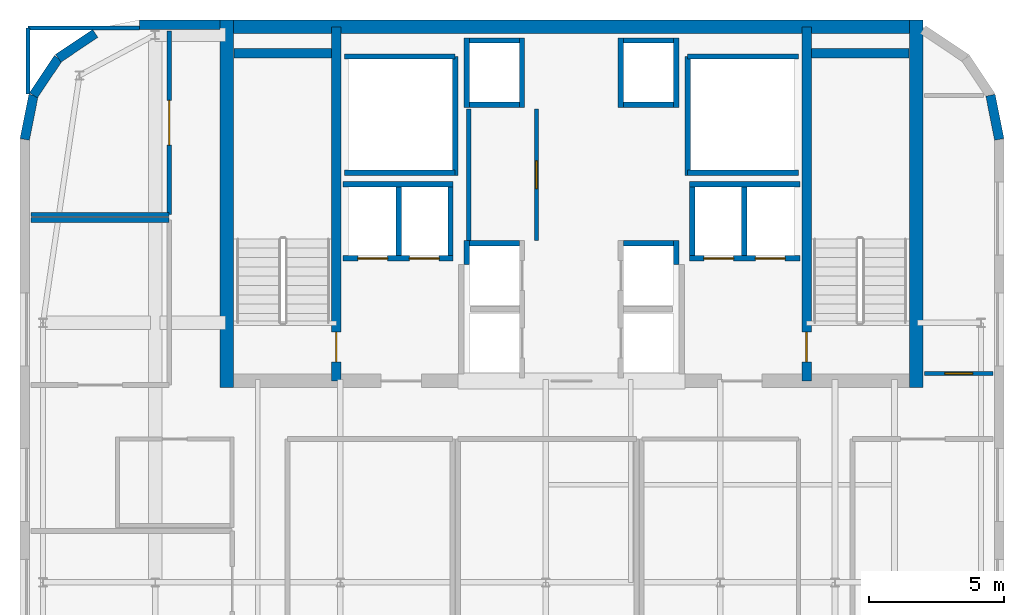
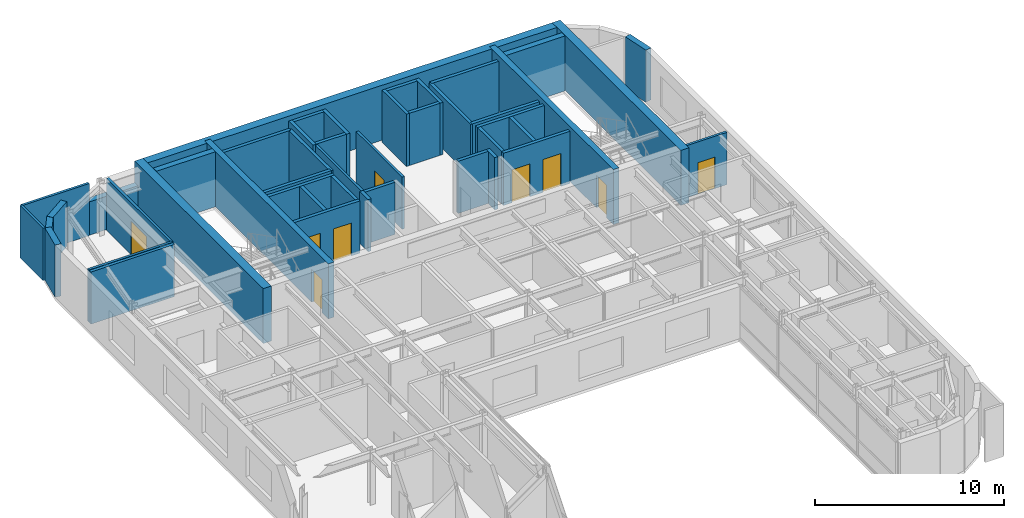
# One storey, part 16 of 18: 46 walls, 9 doors, 9 openings.
"""IFC4 building model written with IfcOpenShell, lengths in metres."""

from ifc_helpers import new_model, si_unit, direction, frame, frame_2d, origin, place, context, subcontext, project, spatial, rectangle, extrude, source, transform, mapped, material, layer, layer_set, type_object, type_shapes, element, fill, save


model = new_model("IFC4")

# Units and contexts
model_context = context("Model", 3, precision=1e-05, world=origin(), true_north=direction((0.0, 1.0)))
body_context = subcontext(model_context, "Body", "Model", "MODEL_VIEW")
ifc_project = project(units=[si_unit("LENGTHUNIT", "METRE"), si_unit("AREAUNIT", "SQUARE_METRE"), si_unit("VOLUMEUNIT", "CUBIC_METRE"), si_unit("PLANEANGLEUNIT", "RADIAN"), si_unit("MASSUNIT", "GRAM", prefix="KILO")], contexts=[model_context])

# Site, building, storey
site_placement = place(None, origin())
site = spatial("IfcSite", under=ifc_project, at=site_placement, CompositionType="ELEMENT")
building_placement = place(site_placement, origin())
building = spatial("IfcBuilding", under=site, at=building_placement, Name="Tolvann Quenvar Hotel", CompositionType="ELEMENT")
storey_placement = place(building_placement, frame((0.0, 0.0, 252.300048828125)))
storey = spatial("IfcBuildingStorey", under=building, at=storey_placement, Name="L67", CompositionType="ELEMENT", Elevation=252.300048828125)

# Walls
ifc_material_1 = material(Name="Concrete N50 (50 MPa)", Category="concrete")
ifc_layer_1 = layer(ifc_material_1, 0.5)
ifc_layer_set_1 = layer_set([ifc_layer_1], Name="Concrete N50 (50 MPa)")
wall_type_1 = type_object("IfcWallType", Name="WALL_CORE_500", PredefinedType="SHEAR", material=ifc_layer_set_1)
wall_1_placement = place(storey_placement, frame((10.0, 44.949951171875, 0.0), z_axis=(0.0, 0.0, 1.0), x_axis=(1.0, 0.0, 0.0)))
element("IfcWall", 1, at=wall_1_placement, inside=storey, type_object=wall_type_1, Name="Rear Core N Shear Wall (L67)", PredefinedType="SHEAR", context=body_context, shape_type="SweptSolid", body=[
    extrude(rectangle(XDim=26.0, YDim=0.5, at=frame_2d((13.0, 0.0))), origin(), (0.0, 0.0, 1.0), 3.550048828125),
])
for number, where, z_axis, x_axis, name in (
    (2, (10.25, 31.60009765625, 0.0), (0.0, 0.0, 1.0), (0.0, 1.0, 0.0), "Rear Core W Shear Wall (L67)"),
    (3, (35.75, 31.60009765625, 0.0), (0.0, 0.0, 1.0), (0.0, 1.0, 0.0), "Rear Core E Shear Wall (L67)"),
):
    element("IfcWall", number, at=place(storey_placement, frame(where, z_axis=z_axis, x_axis=x_axis)), inside=storey, type_object=wall_type_1, Name=name, PredefinedType="SHEAR", context=body_context, shape_type="SweptSolid", body=[
        extrude(rectangle(XDim=13.599853515625, YDim=0.5, at=frame_2d((6.7998046875, 0.0))), origin(), (0.0, 0.0, 1.0), 3.550048828125),
    ])

# Wall, opening, door
ifc_material_2 = material(Name="Concrete S65 (65 MPa)", Category="concrete")
ifc_layer_2 = layer(ifc_material_2, 0.35009765625)
ifc_layer_set_2 = layer_set([ifc_layer_2], Name="Concrete S65 (65 MPa)")
wall_type_2 = type_object("IfcWallType", Name="WALL_CORE_INT_350", PredefinedType="SHEAR", material=ifc_layer_set_2)
wall_2_placement = place(storey_placement, frame((14.300048828125, 31.85009765625, 0.0), z_axis=(0.0, 0.0, 1.0), x_axis=(0.0, 1.0, 0.0)))
wall_2 = element("IfcWall", 4, at=wall_2_placement, inside=storey, type_object=wall_type_2, Name="Core Internal Web Shear Wall WEB-W (L67)", PredefinedType="SHEAR", context=body_context, shape_type="SweptSolid", body=[
    extrude(rectangle(XDim=13.099853515625, YDim=0.35009765625, at=frame_2d((6.5498046875, 0.0))), origin(), (0.0, 0.0, 1.0), 3.550048828125),
])
opening_1_placement = place(wall_2_placement, frame((0.699951171875, 0.0, 0.0)))
opening_1 = element("IfcOpeningElement", 5, at=opening_1_placement, cuts=wall_2, Name="Opening FD-120", PredefinedType="OPENING", context=body_context, shape_type="SweptSolid", body=[
    extrude(rectangle(XDim=1.10009765625, YDim=2.1201171875, at=frame_2d((0.550048828125, 1.06005859375))), frame((0.0, 0.18505859375, 0.0), z_axis=(0.0, -1.0, 0.0), x_axis=(1.0, 0.0, 0.0)), (0.0, 0.0, 1.0), 0.3701171875),
])
ifc_material_3 = material(Name="Pressed galvanised steel fire-rated door set", Category="steel")
door_type_1 = type_object("IfcDoorType", Name="DOOR_FIRE_STAIR_1100", OperationType="NOTDEFINED", PredefinedType="DOOR", material=ifc_material_3)
shared_shape_1 = source(origin(), body_context, "Body", "SweptSolid", [
    extrude(rectangle(XDim=1.10009765625, YDim=2.1201171875, at=frame_2d((0.550048828125, 1.06005859375))), frame((0.0, 0.02490234375, 0.0), z_axis=(0.0, -1.0, 0.0), x_axis=(1.0, 0.0, 0.0)), (0.0, 0.0, 1.0), 0.050048828125),
])
type_shapes(door_type_1, [shared_shape_1])
door_1_placement = place(opening_1_placement, origin())
door_1 = element("IfcDoor", 6, at=door_1_placement, inside=storey, type_object=door_type_1, Name="Exit Stair ST-C1 Fire Door (L67)", OperationType="SINGLE_SWING_LEFT", OverallHeight=2.1201171875, OverallWidth=1.10009765625, PredefinedType="DOOR", context=body_context, shape_type="MappedRepresentation", body=[
    mapped(shared_shape_1, transform((0.0, 0.0, 0.0), x_axis=(1.0, 0.0, 0.0), y_axis=(0.0, 1.0, 0.0), z_axis=(0.0, 0.0, 1.0), scale=1.0)),
])
fill(opening_1, door_1)

wall_3_placement = place(storey_placement, frame((31.699951171875, 31.85009765625, 0.0), z_axis=(0.0, 0.0, 1.0), x_axis=(0.0, 1.0, 0.0)))
wall_3 = element("IfcWall", 7, at=wall_3_placement, inside=storey, type_object=wall_type_2, Name="Core Internal Web Shear Wall WEB-E (L67)", PredefinedType="SHEAR", context=body_context, shape_type="SweptSolid", body=[
    extrude(rectangle(XDim=13.099853515625, YDim=0.35009765625, at=frame_2d((6.5498046875, 0.0))), origin(), (0.0, 0.0, 1.0), 3.550048828125),
])
opening_2_placement = place(wall_3_placement, frame((1.800048828125, 0.0, 0.0), z_axis=(0.0, 0.0, 1.0), x_axis=(-1.0, 0.0, 0.0)))
opening_2 = element("IfcOpeningElement", 8, at=opening_2_placement, cuts=wall_3, Name="Opening FD-120", PredefinedType="OPENING", context=body_context, shape_type="SweptSolid", body=[
    extrude(rectangle(XDim=1.10009765625, YDim=2.1201171875, at=frame_2d((0.550048828125, 1.06005859375))), frame((0.0, 0.18505859375, 0.0), z_axis=(0.0, -1.0, 0.0), x_axis=(1.0, 0.0, 0.0)), (0.0, 0.0, 1.0), 0.3701171875),
])
door_2_placement = place(opening_2_placement, origin())
door_2 = element("IfcDoor", 9, at=door_2_placement, inside=storey, type_object=door_type_1, Name="Exit Stair ST-C2 Fire Door (L67)", OperationType="SINGLE_SWING_RIGHT", OverallHeight=2.1201171875, OverallWidth=1.10009765625, PredefinedType="DOOR", context=body_context, shape_type="MappedRepresentation", body=[
    mapped(shared_shape_1, transform((0.0, 0.0, 0.0), x_axis=(1.0, 0.0, 0.0), y_axis=(0.0, 1.0, 0.0), z_axis=(0.0, 0.0, 1.0), scale=1.0)),
])
fill(opening_2, door_2)

# Walls
for number, where, z_axis, x_axis, name in (
    (10, (10.52001953125, 43.97509765625, 0.0), (0.0, 0.0, 1.0), (1.0, 0.0, 0.0), "Core Stair North Closing Shear Wall STC1-N (L67)"),
    (11, (31.8798828125, 43.97509765625, 0.0), (0.0, 0.0, 1.0), (1.0, 0.0, 0.0), "Core Stair North Closing Shear Wall STC2-N (L67)"),
):
    element("IfcWall", number, at=place(storey_placement, frame(where, z_axis=z_axis, x_axis=x_axis)), inside=storey, type_object=wall_type_2, Name=name, PredefinedType="SHEAR", context=body_context, shape_type="SweptSolid", body=[
        extrude(rectangle(XDim=3.60009765625, YDim=0.35009765625, at=frame_2d((1.800048828125, 0.0))), origin(), (0.0, 0.0, 1.0), 3.550048828125),
    ])
ifc_material_4 = material(Name="Kiln-fired red and buff architectural clay brickwork and terracotta masonry", Category="masonry")
ifc_layer_3 = layer(ifc_material_4, 0.35009765625)
ifc_layer_set_3 = layer_set([ifc_layer_3], Name="Kiln-fired red and buff architectural clay brickwork and terracotta masonry")
wall_type_3 = type_object("IfcWallType", Name="WALL_EXT_BRICK_350", PredefinedType="SOLIDWALL", material=ifc_layer_set_3)
wall_4_placement = place(storey_placement, frame((38.824951171875, 40.78271484375, 0.0), z_axis=(0.0, 0.0, 1.0), x_axis=(-0.195044345786, 0.980794424524, 0.0)))
element("IfcWall", 12, at=wall_4_placement, inside=storey, type_object=wall_type_3, Name="Exterior Chicago Brick Wall L67-E14", PredefinedType="SOLIDWALL", context=body_context, shape_type="SweptSolid", body=[
    extrude(rectangle(XDim=1.664794921875, YDim=0.35009765625, at=frame_2d((0.83251953125, 0.0))), origin(), (0.0, 0.0, 1.0), 3.369873046875),
])
wall_5_placement = place(storey_placement, frame((9.99609375, 45.02490234375, 0.0), z_axis=(0.0, 0.0, 1.0), x_axis=(-1.0, 0.0, 0.0)))
element("IfcWall", 13, at=wall_5_placement, inside=storey, type_object=wall_type_3, Name="Exterior Chicago Brick Wall L67-E18NW", PredefinedType="SOLIDWALL", context=body_context, shape_type="SweptSolid", body=[
    extrude(rectangle(XDim=2.97900390625, YDim=0.35009765625, at=frame_2d((1.489501953125, 0.0))), origin(), (0.0, 0.0, 1.0), 2.159912109375),
])
for number, where, z_axis, x_axis, name in (
    (14, (5.384521484375, 44.7001953125, 0.0), (0.0, 0.0, 1.0), (-0.831502623162, -0.555520825599, 0.0), "Exterior Chicago Brick Wall L67-E20"),
    (15, (4.014892578125, 43.78515625, 0.0), (0.0, 0.0, 1.0), (-0.555623290322, -0.831434158098, 0.0), "Exterior Chicago Brick Wall L67-E21"),
):
    element("IfcWall", number, at=place(storey_placement, frame(where, z_axis=z_axis, x_axis=x_axis)), inside=storey, type_object=wall_type_3, Name=name, PredefinedType="SOLIDWALL", context=body_context, shape_type="SweptSolid", body=[
        extrude(rectangle(XDim=1.647216796875, YDim=0.35009765625, at=frame_2d((0.82373046875, 0.0))), origin(), (0.0, 0.0, 1.0), 2.89990234375),
    ])
wall_6_placement = place(storey_placement, frame((3.099609375, 42.41552734375, 0.0), z_axis=(0.0, 0.0, 1.0), x_axis=(-0.195044345786, -0.980794424524, 0.0)))
element("IfcWall", 16, at=wall_6_placement, inside=storey, type_object=wall_type_3, Name="Exterior Chicago Brick Wall L67-E22", PredefinedType="SOLIDWALL", context=body_context, shape_type="SweptSolid", body=[
    extrude(rectangle(XDim=1.664794921875, YDim=0.35009765625, at=frame_2d((0.83251953125, 0.0))), origin(), (0.0, 0.0, 1.0), 3.369873046875),
])
ifc_material_5 = material(Name="Acoustic twin-stud fire-rated gypsum plasterboard partition")
ifc_layer_4 = layer(ifc_material_5, 0.179931640625)
ifc_layer_set_4 = layer_set([ifc_layer_4], Name="Acoustic twin-stud fire-rated gypsum plasterboard partition")
wall_type_4 = type_object("IfcWallType", Name="WALL_PART_ACOUSTIC_180", PredefinedType="PARTITIONING", material=ifc_layer_set_4)
wall_7_placement = place(storey_placement, frame((3.0048828125, 37.800048828125, 0.0), z_axis=(0.0, 0.0, 1.0), x_axis=(1.0, 0.0, 0.0)))
element("IfcWall", 17, at=wall_7_placement, inside=storey, type_object=wall_type_4, Name="Interior Partition PT-SPC-L67-SAL-N", PredefinedType="PARTITIONING", context=body_context, shape_type="SweptSolid", body=[
    extrude(rectangle(XDim=5.115234375, YDim=0.179931640625, at=frame_2d((2.5576171875, 0.0))), origin(), (0.0, 0.0, 1.0), 3.369873046875),
])

# Wall, opening, door
ifc_layer_5 = layer(ifc_material_5, 0.14990234375)
ifc_layer_set_5 = layer_set([ifc_layer_5], Name="Acoustic twin-stud fire-rated gypsum plasterboard partition")
wall_type_5 = type_object("IfcWallType", Name="WALL_PART_SUITE_150", PredefinedType="PARTITIONING", material=ifc_layer_set_5)
wall_8_placement = place(storey_placement, frame((21.699951171875, 37.050048828125, 0.0), z_axis=(0.0, 0.0, 1.0), x_axis=(0.0, 1.0, 0.0)))
wall_8 = element("IfcWall", 18, at=wall_8_placement, inside=storey, type_object=wall_type_5, Name="Interior Partition PT-SPC-L67-RECPM-1-ENT", PredefinedType="PARTITIONING", context=body_context, shape_type="SweptSolid", body=[
    extrude(rectangle(XDim=4.849853515625, YDim=0.14990234375, at=frame_2d((2.4248046875, 0.0))), origin(), (0.0, 0.0, 1.0), 3.369873046875),
])
opening_3_placement = place(wall_8_placement, frame((1.9150390625, 0.0, 0.0)))
opening_3 = element("IfcOpeningElement", 19, at=opening_3_placement, cuts=wall_8, Name="Opening HD-01", PredefinedType="OPENING", context=body_context, shape_type="SweptSolid", body=[
    extrude(rectangle(XDim=1.02001953125, YDim=2.030029296875, at=frame_2d((0.510009765625, 1.01513671875))), frame((0.0, 0.0849609375, 0.0), z_axis=(0.0, -1.0, 0.0), x_axis=(1.0, 0.0, 0.0)), (0.0, 0.0, 1.0), 0.169921875),
])
door_type_2 = type_object("IfcDoorType", Name="DOOR_BOH_1020", OperationType="NOTDEFINED", PredefinedType="DOOR", material=ifc_material_3)
shared_shape_2 = source(origin(), body_context, "Body", "SweptSolid", [
    extrude(rectangle(XDim=1.02001953125, YDim=2.030029296875, at=frame_2d((0.510009765625, 1.01513671875))), frame((0.0, 0.02490234375, 0.0), z_axis=(0.0, -1.0, 0.0), x_axis=(1.0, 0.0, 0.0)), (0.0, 0.0, 1.0), 0.050048828125),
])
type_shapes(door_type_2, [shared_shape_2])
door_3_placement = place(opening_3_placement, origin())
door_3 = element("IfcDoor", 20, at=door_3_placement, inside=storey, type_object=door_type_2, Name="Interior Door DOOR-SPC-L67-RECPM-1", OperationType="SINGLE_SWING_LEFT", OverallHeight=2.030029296875, OverallWidth=1.02001953125, PredefinedType="DOOR", context=body_context, shape_type="MappedRepresentation", body=[
    mapped(shared_shape_2, transform((0.0, 0.0, 0.0), x_axis=(1.0, 0.0, 0.0), y_axis=(0.0, 1.0, 0.0), z_axis=(0.0, 0.0, 1.0), scale=1.0)),
])
fill(opening_3, door_3)

# Walls
wall_9_placement = place(storey_placement, frame((19.199951171875, 37.0400390625, 0.0), z_axis=(0.0, 0.0, 1.0), x_axis=(0.0, 1.0, 0.0)))
element("IfcWall", 21, at=wall_9_placement, inside=storey, type_object=wall_type_5, Name="Interior Partition PT-SPC-L67-RECPM-1-W", PredefinedType="PARTITIONING", context=body_context, shape_type="SweptSolid", body=[
    extrude(rectangle(XDim=4.85986328125, YDim=0.14990234375, at=frame_2d((2.429931640625, 0.0))), origin(), (0.0, 0.0, 1.0), 3.369873046875),
])
wall_10_placement = place(storey_placement, frame((3.0048828125, 38.0, 0.0), z_axis=(0.0, 0.0, 1.0), x_axis=(1.0, 0.0, 0.0)))
element("IfcWall", 22, at=wall_10_placement, inside=storey, type_object=wall_type_5, Name="Interior Partition PT-SPC-L67-SPA-S", PredefinedType="PARTITIONING", context=body_context, shape_type="SweptSolid", body=[
    extrude(rectangle(XDim=5.115234375, YDim=0.14990234375, at=frame_2d((2.5576171875, 0.0))), origin(), (0.0, 0.0, 1.0), 3.369873046875),
])
wall_11_placement = place(storey_placement, frame((2.89990234375, 44.89990234375, 0.0), z_axis=(0.0, 0.0, 1.0), x_axis=(1.0, 0.0, 0.0)))
element("IfcWall", 23, at=wall_11_placement, inside=storey, type_object=wall_type_5, Name="Interior Partition PT-SPC-L67-SPA-N", PredefinedType="PARTITIONING", context=body_context, shape_type="SweptSolid", body=[
    extrude(rectangle(XDim=4.1171875, YDim=0.14990234375, at=frame_2d((2.05859375, 0.0))), origin(), (0.0, 0.0, 1.0), 3.369873046875),
])
wall_12_placement = place(storey_placement, frame((2.89990234375, 42.455078125, 0.0), z_axis=(0.0, 0.0, 1.0), x_axis=(0.0, 1.0, 0.0)))
element("IfcWall", 24, at=wall_12_placement, inside=storey, type_object=wall_type_5, Name="Interior Partition PT-SPC-L67-SPA-W", PredefinedType="PARTITIONING", context=body_context, shape_type="SweptSolid", body=[
    extrude(rectangle(XDim=2.44482421875, YDim=0.14990234375, at=frame_2d((1.222412109375, 0.0))), origin(), (0.0, 0.0, 1.0), 3.369873046875),
])

# Wall, opening, door
wall_13_placement = place(storey_placement, frame((8.1201171875, 38.0, 0.0), z_axis=(0.0, 0.0, 1.0), x_axis=(0.0, 1.0, 0.0)))
wall_13 = element("IfcWall", 25, at=wall_13_placement, inside=storey, type_object=wall_type_5, Name="Interior Partition PT-SPC-L67-SPA-E", PredefinedType="PARTITIONING", context=body_context, shape_type="SweptSolid", body=[
    extrude(rectangle(XDim=6.794921875, YDim=0.14990234375, at=frame_2d((3.3974609375, 0.0))), origin(), (0.0, 0.0, 1.0), 3.369873046875),
])
opening_4_placement = place(wall_13_placement, frame((2.572509765625, 0.0, 0.0)))
opening_4 = element("IfcOpeningElement", 26, at=opening_4_placement, cuts=wall_13, Name="Opening AD-01", PredefinedType="OPENING", context=body_context, shape_type="SweptSolid", body=[
    extrude(rectangle(XDim=1.64990234375, YDim=2.14990234375, at=frame_2d((0.824951171875, 1.074951171875))), frame((0.0, 0.0849609375, 0.0), z_axis=(0.0, -1.0, 0.0), x_axis=(1.0, 0.0, 0.0)), (0.0, 0.0, 1.0), 0.169921875),
])
ifc_material_6 = material(Name="Solid-core American oak acoustic fire door leaf in steel frame", Category="steel")
door_type_3 = type_object("IfcDoorType", Name="DOOR_SALON_1650", OperationType="NOTDEFINED", PredefinedType="DOOR", material=ifc_material_6)
shared_shape_3 = source(origin(), body_context, "Body", "SweptSolid", [
    extrude(rectangle(XDim=1.64990234375, YDim=2.14990234375, at=frame_2d((0.824951171875, 1.074951171875))), frame((0.0, 0.02490234375, 0.0), z_axis=(0.0, -1.0, 0.0), x_axis=(1.0, 0.0, 0.0)), (0.0, 0.0, 1.0), 0.050048828125),
])
type_shapes(door_type_3, [shared_shape_3])
door_4_placement = place(opening_4_placement, origin())
door_4 = element("IfcDoor", 27, at=door_4_placement, inside=storey, type_object=door_type_3, Name="Interior Door DOOR-SPC-L67-SPA", OperationType="DOUBLE_DOOR_SINGLE_SWING", OverallHeight=2.14990234375, OverallWidth=1.64990234375, PredefinedType="DOOR", context=body_context, shape_type="MappedRepresentation", body=[
    mapped(shared_shape_3, transform((0.0, 0.0, 0.0), x_axis=(1.0, 0.0, 0.0), y_axis=(0.0, 1.0, 0.0), z_axis=(0.0, 0.0, 1.0), scale=1.0)),
])
fill(opening_4, door_4)

wall_14_placement = place(storey_placement, frame((36.054931640625, 32.1201171875, 0.0), z_axis=(0.0, 0.0, 1.0), x_axis=(1.0, 0.0, 0.0)))
wall_14 = element("IfcWall", 28, at=wall_14_placement, inside=storey, type_object=wall_type_5, Name="Interior Partition PT-SPC-L67-RECPL-P-S", PredefinedType="PARTITIONING", context=body_context, shape_type="SweptSolid", body=[
    extrude(rectangle(XDim=2.5400390625, YDim=0.14990234375, at=frame_2d((1.27001953125, 0.0))), origin(), (0.0, 0.0, 1.0), 3.369873046875),
])
opening_5_placement = place(wall_14_placement, frame((0.760009765625, 0.0, 0.0)))
opening_5 = element("IfcOpeningElement", 29, at=opening_5_placement, cuts=wall_14, Name="Opening HD-01", PredefinedType="OPENING", context=body_context, shape_type="SweptSolid", body=[
    extrude(rectangle(XDim=1.02001953125, YDim=2.030029296875, at=frame_2d((0.510009765625, 1.01513671875))), frame((0.0, 0.0849609375, 0.0), z_axis=(0.0, -1.0, 0.0), x_axis=(1.0, 0.0, 0.0)), (0.0, 0.0, 1.0), 0.169921875),
])
door_5_placement = place(opening_5_placement, origin())
door_5 = element("IfcDoor", 30, at=door_5_placement, inside=storey, type_object=door_type_2, Name="Interior Door DOOR-SPC-L67-RECPL-P", OperationType="SINGLE_SWING_RIGHT", OverallHeight=2.030029296875, OverallWidth=1.02001953125, PredefinedType="DOOR", context=body_context, shape_type="MappedRepresentation", body=[
    mapped(shared_shape_2, transform((0.0, 0.0, 0.0), x_axis=(1.0, 0.0, 0.0), y_axis=(0.0, 1.0, 0.0), z_axis=(0.0, 0.0, 1.0), scale=1.0)),
])
fill(opening_5, door_5)

# Walls
ifc_material_7 = material(Name="Concrete N40 (40 MPa)", Category="concrete")
ifc_layer_6 = layer(ifc_material_7, 0.199951171875)
ifc_layer_set_6 = layer_set([ifc_layer_6], Name="Concrete N40 (40 MPa)")
wall_type_6 = type_object("IfcWallType", Name="WALL_SHAFT_200", PredefinedType="SOLIDWALL", material=ifc_layer_set_6)
wall_15_placement = place(storey_placement, frame((18.699951171875, 39.449951171875, 0.0), z_axis=(0.0, 0.0, 1.0), x_axis=(0.0, 1.0, 0.0)))
element("IfcWall", 31, at=wall_15_placement, inside=storey, type_object=wall_type_6, Name="Service Riser W Shaft Wall IN (L67)", PredefinedType="SOLIDWALL", context=body_context, shape_type="SweptSolid", body=[
    extrude(rectangle(XDim=4.400146484375, YDim=0.199951171875, at=frame_2d((2.2001953125, 0.0))), origin(), (0.0, 0.0, 1.0), 3.369873046875),
])
for number, where, z_axis, x_axis, name in (
    (32, (14.60009765625, 39.550048828125, 0.0), (0.0, 0.0, 1.0), (1.0, 0.0, 0.0), "Service Riser W Shaft Wall S (L67)"),
    (33, (14.60009765625, 43.85009765625, 0.0), (0.0, 0.0, 1.0), (1.0, 0.0, 0.0), "Service Riser W Shaft Wall N (L67)"),
):
    element("IfcWall", number, at=place(storey_placement, frame(where, z_axis=z_axis, x_axis=x_axis)), inside=storey, type_object=wall_type_6, Name=name, PredefinedType="SOLIDWALL", context=body_context, shape_type="SweptSolid", body=[
        extrude(rectangle(XDim=4.099853515625, YDim=0.199951171875, at=frame_2d((2.0498046875, 0.0))), origin(), (0.0, 0.0, 1.0), 3.369873046875),
    ])
wall_16_placement = place(storey_placement, frame((27.300048828125, 39.449951171875, 0.0), z_axis=(0.0, 0.0, 1.0), x_axis=(0.0, 1.0, 0.0)))
element("IfcWall", 34, at=wall_16_placement, inside=storey, type_object=wall_type_6, Name="Service Riser E Shaft Wall IN (L67)", PredefinedType="SOLIDWALL", context=body_context, shape_type="SweptSolid", body=[
    extrude(rectangle(XDim=4.400146484375, YDim=0.199951171875, at=frame_2d((2.2001953125, 0.0))), origin(), (0.0, 0.0, 1.0), 3.369873046875),
])
for number, where, z_axis, x_axis, name in (
    (35, (27.300048828125, 39.550048828125, 0.0), (0.0, 0.0, 1.0), (1.0, 0.0, 0.0), "Service Riser E Shaft Wall S (L67)"),
    (36, (27.300048828125, 43.85009765625, 0.0), (0.0, 0.0, 1.0), (1.0, 0.0, 0.0), "Service Riser E Shaft Wall N (L67)"),
):
    element("IfcWall", number, at=place(storey_placement, frame(where, z_axis=z_axis, x_axis=x_axis)), inside=storey, type_object=wall_type_6, Name=name, PredefinedType="SOLIDWALL", context=body_context, shape_type="SweptSolid", body=[
        extrude(rectangle(XDim=4.099853515625, YDim=0.199951171875, at=frame_2d((2.0498046875, 0.0))), origin(), (0.0, 0.0, 1.0), 3.369873046875),
    ])
wall_17_placement = place(storey_placement, frame((19.1298828125, 36.159912109375, 0.0), z_axis=(0.0, 0.0, 1.0), x_axis=(0.0, 1.0, 0.0)))
element("IfcWall", 37, at=wall_17_placement, inside=storey, type_object=wall_type_6, Name="Lift Bank E21.1C1 Hoistway Rear Wall (L67)", PredefinedType="SOLIDWALL", context=body_context, shape_type="SweptSolid", body=[
    extrude(rectangle(XDim=0.880126953125, YDim=0.199951171875, at=frame_2d((0.43994140625, 0.0))), origin(), (0.0, 0.0, 1.0), 3.369873046875),
])
wall_18_placement = place(storey_placement, frame((19.22998046875, 36.93994140625, 0.0), z_axis=(0.0, 0.0, 1.0), x_axis=(1.0, 0.0, 0.0)))
element("IfcWall", 38, at=wall_18_placement, inside=storey, type_object=wall_type_6, Name="Lift Bank E21.1C1 Hoistway Cheek Wall 2 (L67)", PredefinedType="SOLIDWALL", context=body_context, shape_type="SweptSolid", body=[
    extrude(rectangle(XDim=1.840087890625, YDim=0.199951171875, at=frame_2d((0.919921875, 0.0))), origin(), (0.0, 0.0, 1.0), 3.369873046875),
])
for number, where, z_axis, x_axis, name in (
    (39, (21.169921875, 41.9599609375, 0.0), (0.0, 0.0, 1.0), (0.0, 1.0, 0.0), "Lift Bank E21.1C2 Hoistway Front Wall (L67)"),
    (40, (19.1298828125, 41.9599609375, 0.0), (0.0, 0.0, 1.0), (0.0, 1.0, 0.0), "Lift Bank E21.1C2 Hoistway Rear Wall (L67)"),
):
    element("IfcWall", number, at=place(storey_placement, frame(where, z_axis=z_axis, x_axis=x_axis)), inside=storey, type_object=wall_type_6, Name=name, PredefinedType="SOLIDWALL", context=body_context, shape_type="SweptSolid", body=[
        extrude(rectangle(XDim=2.580078125, YDim=0.199951171875, at=frame_2d((1.2900390625, 0.0))), origin(), (0.0, 0.0, 1.0), 3.369873046875),
    ])
for number, where, z_axis, x_axis, name in (
    (41, (19.22998046875, 42.06005859375, 0.0), (0.0, 0.0, 1.0), (1.0, 0.0, 0.0), "Lift Bank E21.1C2 Hoistway Cheek Wall 1 (L67)"),
    (42, (19.22998046875, 44.43994140625, 0.0), (0.0, 0.0, 1.0), (1.0, 0.0, 0.0), "Lift Bank E21.1C2 Hoistway Cheek Wall 2 (L67)"),
):
    element("IfcWall", number, at=place(storey_placement, frame(where, z_axis=z_axis, x_axis=x_axis)), inside=storey, type_object=wall_type_6, Name=name, PredefinedType="SOLIDWALL", context=body_context, shape_type="SweptSolid", body=[
        extrude(rectangle(XDim=1.840087890625, YDim=0.199951171875, at=frame_2d((0.919921875, 0.0))), origin(), (0.0, 0.0, 1.0), 3.369873046875),
    ])

# Wall, openings, doors
wall_19_placement = place(storey_placement, frame((27.375, 36.3798828125, 0.0), z_axis=(0.0, 0.0, 1.0), x_axis=(1.0, 0.0, 0.0)))
wall_19 = element("IfcWall", 43, at=wall_19_placement, inside=storey, type_object=wall_type_6, Name="Lift Bank SEC1 Hoistway Front Wall (L67)", PredefinedType="SOLIDWALL", context=body_context, shape_type="SweptSolid", body=[
    extrude(rectangle(XDim=4.074951171875, YDim=0.199951171875, at=frame_2d((2.03759765625, 0.0))), origin(), (0.0, 0.0, 1.0), 3.369873046875),
])
opening_6_placement = place(wall_19_placement, frame((0.52490234375, 0.0, 0.0)))
opening_6 = element("IfcOpeningElement", 44, at=opening_6_placement, cuts=wall_19, Name="Opening LD-01", PredefinedType="OPENING", context=body_context, shape_type="SweptSolid", body=[
    extrude(rectangle(XDim=1.10009765625, YDim=2.1201171875, at=frame_2d((0.550048828125, 1.06005859375))), frame((0.0, 0.10986328125, 0.0), z_axis=(0.0, -1.0, 0.0), x_axis=(1.0, 0.0, 0.0)), (0.0, 0.0, 1.0), 0.219970703125),
])
opening_7_placement = place(wall_19_placement, frame((2.425048828125, 0.0, 0.0)))
opening_7 = element("IfcOpeningElement", 45, at=opening_7_placement, cuts=wall_19, Name="Opening LD-01", PredefinedType="OPENING", context=body_context, shape_type="SweptSolid", body=[
    extrude(rectangle(XDim=1.10009765625, YDim=2.1201171875, at=frame_2d((0.550048828125, 1.06005859375))), frame((0.0, 0.10986328125, 0.0), z_axis=(0.0, -1.0, 0.0), x_axis=(1.0, 0.0, 0.0)), (0.0, 0.0, 1.0), 0.219970703125),
])
ifc_material_8 = material(Name="Brushed 316 stainless steel automatic sliding lift landing door", Category="steel")
door_type_4 = type_object("IfcDoorType", Name="DOOR_LIFT_SLIDE_1100", OperationType="NOTDEFINED", PredefinedType="DOOR", material=ifc_material_8)
shared_shape_4 = source(origin(), body_context, "Body", "SweptSolid", [
    extrude(rectangle(XDim=1.10009765625, YDim=2.1201171875, at=frame_2d((0.550048828125, 1.06005859375))), frame((0.0, 0.02490234375, 0.0), z_axis=(0.0, -1.0, 0.0), x_axis=(1.0, 0.0, 0.0)), (0.0, 0.0, 1.0), 0.050048828125),
])
type_shapes(door_type_4, [shared_shape_4])
door_6_placement = place(opening_6_placement, origin())
door_6 = element("IfcDoor", 46, at=door_6_placement, inside=storey, type_object=door_type_4, Name="Lift SV-2 Sliding Landing Door (L67)", OperationType="SLIDING_TO_LEFT", OverallHeight=2.1201171875, OverallWidth=1.10009765625, PredefinedType="DOOR", context=body_context, shape_type="MappedRepresentation", body=[
    mapped(shared_shape_4, transform((0.0, 0.0, 0.0), x_axis=(1.0, 0.0, 0.0), y_axis=(0.0, 1.0, 0.0), z_axis=(0.0, 0.0, 1.0), scale=1.0)),
])
fill(opening_6, door_6)
door_7_placement = place(opening_7_placement, origin())
door_7 = element("IfcDoor", 47, at=door_7_placement, inside=storey, type_object=door_type_4, Name="Lift FF-2 Sliding Landing Door (L67)", OperationType="SLIDING_TO_RIGHT", OverallHeight=2.1201171875, OverallWidth=1.10009765625, PredefinedType="DOOR", context=body_context, shape_type="MappedRepresentation", body=[
    mapped(shared_shape_4, transform((0.0, 0.0, 0.0), x_axis=(1.0, 0.0, 0.0), y_axis=(0.0, 1.0, 0.0), z_axis=(0.0, 0.0, 1.0), scale=1.0)),
])
fill(opening_7, door_7)

# Walls
wall_20_placement = place(storey_placement, frame((27.375, 39.1201171875, 0.0), z_axis=(0.0, 0.0, 1.0), x_axis=(1.0, 0.0, 0.0)))
element("IfcWall", 48, at=wall_20_placement, inside=storey, type_object=wall_type_6, Name="Lift Bank SEC1 Hoistway Rear Wall (L67)", PredefinedType="SOLIDWALL", context=body_context, shape_type="SweptSolid", body=[
    extrude(rectangle(XDim=4.074951171875, YDim=0.199951171875, at=frame_2d((2.03759765625, 0.0))), origin(), (0.0, 0.0, 1.0), 3.369873046875),
])
for number, where, z_axis, x_axis, name in (
    (49, (27.47509765625, 36.47998046875, 0.0), (0.0, 0.0, 1.0), (0.0, 1.0, 0.0), "Lift Bank SEC1 Hoistway Cheek Wall 1 (L67)"),
    (50, (29.387451171875, 36.47998046875, 0.0), (0.0, 0.0, 1.0), (0.0, 1.0, 0.0), "Lift Bank SEC1 Divider Wall 1 (L67)"),
):
    element("IfcWall", number, at=place(storey_placement, frame(where, z_axis=z_axis, x_axis=x_axis)), inside=storey, type_object=wall_type_6, Name=name, PredefinedType="SOLIDWALL", context=body_context, shape_type="SweptSolid", body=[
        extrude(rectangle(XDim=2.5400390625, YDim=0.199951171875, at=frame_2d((1.27001953125, 0.0))), origin(), (0.0, 0.0, 1.0), 3.369873046875),
    ])

# Wall, openings, doors
wall_21_placement = place(storey_placement, frame((14.550048828125, 36.3798828125, 0.0), z_axis=(0.0, 0.0, 1.0), x_axis=(1.0, 0.0, 0.0)))
wall_21 = element("IfcWall", 51, at=wall_21_placement, inside=storey, type_object=wall_type_6, Name="Lift Bank SWC1 Hoistway Front Wall (L67)", PredefinedType="SOLIDWALL", context=body_context, shape_type="SweptSolid", body=[
    extrude(rectangle(XDim=4.074951171875, YDim=0.199951171875, at=frame_2d((2.03759765625, 0.0))), origin(), (0.0, 0.0, 1.0), 3.369873046875),
])
opening_8_placement = place(wall_21_placement, frame((0.550048828125, 0.0, 0.0)))
opening_8 = element("IfcOpeningElement", 52, at=opening_8_placement, cuts=wall_21, Name="Opening LD-01", PredefinedType="OPENING", context=body_context, shape_type="SweptSolid", body=[
    extrude(rectangle(XDim=1.10009765625, YDim=2.1201171875, at=frame_2d((0.550048828125, 1.06005859375))), frame((0.0, 0.10986328125, 0.0), z_axis=(0.0, -1.0, 0.0), x_axis=(1.0, 0.0, 0.0)), (0.0, 0.0, 1.0), 0.219970703125),
])
opening_9_placement = place(wall_21_placement, frame((2.449951171875, 0.0, 0.0)))
opening_9 = element("IfcOpeningElement", 53, at=opening_9_placement, cuts=wall_21, Name="Opening LD-01", PredefinedType="OPENING", context=body_context, shape_type="SweptSolid", body=[
    extrude(rectangle(XDim=1.10009765625, YDim=2.1201171875, at=frame_2d((0.550048828125, 1.06005859375))), frame((0.0, 0.10986328125, 0.0), z_axis=(0.0, -1.0, 0.0), x_axis=(1.0, 0.0, 0.0)), (0.0, 0.0, 1.0), 0.219970703125),
])
door_8_placement = place(opening_8_placement, origin())
door_8 = element("IfcDoor", 54, at=door_8_placement, inside=storey, type_object=door_type_4, Name="Lift FF-1 Sliding Landing Door (L67)", OperationType="SLIDING_TO_LEFT", OverallHeight=2.1201171875, OverallWidth=1.10009765625, PredefinedType="DOOR", context=body_context, shape_type="MappedRepresentation", body=[
    mapped(shared_shape_4, transform((0.0, 0.0, 0.0), x_axis=(1.0, 0.0, 0.0), y_axis=(0.0, 1.0, 0.0), z_axis=(0.0, 0.0, 1.0), scale=1.0)),
])
fill(opening_8, door_8)
door_9_placement = place(opening_9_placement, origin())
door_9 = element("IfcDoor", 55, at=door_9_placement, inside=storey, type_object=door_type_4, Name="Lift SV-1 Sliding Landing Door (L67)", OperationType="SLIDING_TO_RIGHT", OverallHeight=2.1201171875, OverallWidth=1.10009765625, PredefinedType="DOOR", context=body_context, shape_type="MappedRepresentation", body=[
    mapped(shared_shape_4, transform((0.0, 0.0, 0.0), x_axis=(1.0, 0.0, 0.0), y_axis=(0.0, 1.0, 0.0), z_axis=(0.0, 0.0, 1.0), scale=1.0)),
])
fill(opening_9, door_9)

# Walls
wall_22_placement = place(storey_placement, frame((14.550048828125, 39.1201171875, 0.0), z_axis=(0.0, 0.0, 1.0), x_axis=(1.0, 0.0, 0.0)))
element("IfcWall", 56, at=wall_22_placement, inside=storey, type_object=wall_type_6, Name="Lift Bank SWC1 Hoistway Rear Wall (L67)", PredefinedType="SOLIDWALL", context=body_context, shape_type="SweptSolid", body=[
    extrude(rectangle(XDim=4.074951171875, YDim=0.199951171875, at=frame_2d((2.03759765625, 0.0))), origin(), (0.0, 0.0, 1.0), 3.369873046875),
])
for number, where, z_axis, x_axis, name in (
    (57, (18.52490234375, 36.47998046875, 0.0), (0.0, 0.0, 1.0), (0.0, 1.0, 0.0), "Lift Bank SWC1 Hoistway Cheek Wall 2 (L67)"),
    (58, (16.612548828125, 36.47998046875, 0.0), (0.0, 0.0, 1.0), (0.0, 1.0, 0.0), "Lift Bank SWC1 Divider Wall 1 (L67)"),
):
    element("IfcWall", number, at=place(storey_placement, frame(where, z_axis=z_axis, x_axis=x_axis)), inside=storey, type_object=wall_type_6, Name=name, PredefinedType="SOLIDWALL", context=body_context, shape_type="SweptSolid", body=[
        extrude(rectangle(XDim=2.5400390625, YDim=0.199951171875, at=frame_2d((1.27001953125, 0.0))), origin(), (0.0, 0.0, 1.0), 3.369873046875),
    ])
wall_23_placement = place(storey_placement, frame((26.8701171875, 36.159912109375, 0.0), z_axis=(0.0, 0.0, 1.0), x_axis=(0.0, 1.0, 0.0)))
element("IfcWall", 59, at=wall_23_placement, inside=storey, type_object=wall_type_6, Name="Lift Bank W24.9C1 Hoistway Rear Wall (L67)", PredefinedType="SOLIDWALL", context=body_context, shape_type="SweptSolid", body=[
    extrude(rectangle(XDim=0.880126953125, YDim=0.199951171875, at=frame_2d((0.43994140625, 0.0))), origin(), (0.0, 0.0, 1.0), 3.369873046875),
])
wall_24_placement = place(storey_placement, frame((24.929931640625, 36.93994140625, 0.0), z_axis=(0.0, 0.0, 1.0), x_axis=(1.0, 0.0, 0.0)))
element("IfcWall", 60, at=wall_24_placement, inside=storey, type_object=wall_type_6, Name="Lift Bank W24.9C1 Hoistway Cheek Wall 2 (L67)", PredefinedType="SOLIDWALL", context=body_context, shape_type="SweptSolid", body=[
    extrude(rectangle(XDim=1.840087890625, YDim=0.199951171875, at=frame_2d((0.919921875, 0.0))), origin(), (0.0, 0.0, 1.0), 3.369873046875),
])
for number, where, z_axis, x_axis, name in (
    (61, (24.830078125, 41.9599609375, 0.0), (0.0, 0.0, 1.0), (0.0, 1.0, 0.0), "Lift Bank W24.9C2 Hoistway Front Wall (L67)"),
    (62, (26.8701171875, 41.9599609375, 0.0), (0.0, 0.0, 1.0), (0.0, 1.0, 0.0), "Lift Bank W24.9C2 Hoistway Rear Wall (L67)"),
):
    element("IfcWall", number, at=place(storey_placement, frame(where, z_axis=z_axis, x_axis=x_axis)), inside=storey, type_object=wall_type_6, Name=name, PredefinedType="SOLIDWALL", context=body_context, shape_type="SweptSolid", body=[
        extrude(rectangle(XDim=2.580078125, YDim=0.199951171875, at=frame_2d((1.2900390625, 0.0))), origin(), (0.0, 0.0, 1.0), 3.369873046875),
    ])
for number, where, z_axis, x_axis, name in (
    (63, (24.929931640625, 42.06005859375, 0.0), (0.0, 0.0, 1.0), (1.0, 0.0, 0.0), "Lift Bank W24.9C2 Hoistway Cheek Wall 1 (L67)"),
    (64, (24.929931640625, 44.43994140625, 0.0), (0.0, 0.0, 1.0), (1.0, 0.0, 0.0), "Lift Bank W24.9C2 Hoistway Cheek Wall 2 (L67)"),
):
    element("IfcWall", number, at=place(storey_placement, frame(where, z_axis=z_axis, x_axis=x_axis)), inside=storey, type_object=wall_type_6, Name=name, PredefinedType="SOLIDWALL", context=body_context, shape_type="SweptSolid", body=[
        extrude(rectangle(XDim=1.840087890625, YDim=0.199951171875, at=frame_2d((0.919921875, 0.0))), origin(), (0.0, 0.0, 1.0), 3.369873046875),
    ])

save(model, "model.ifc")
